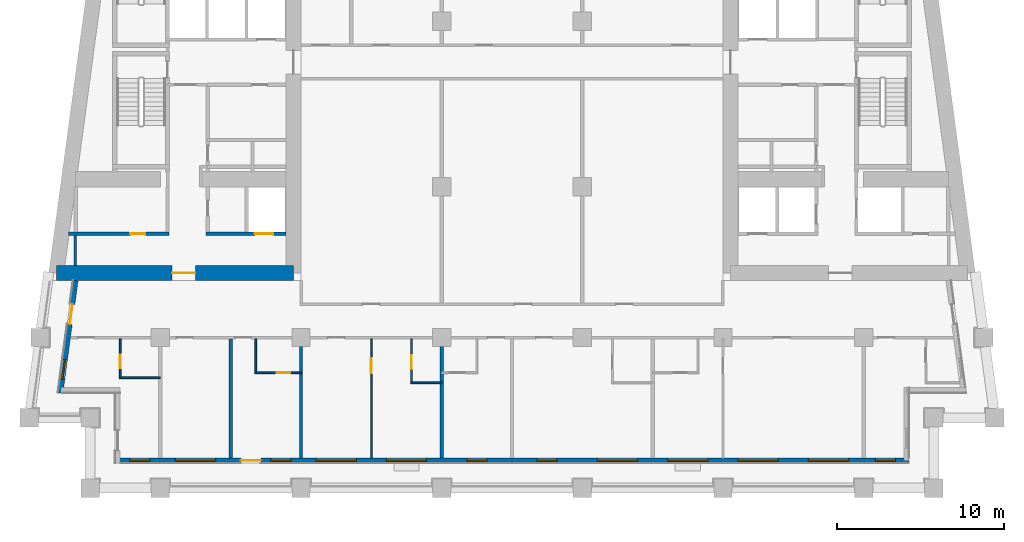
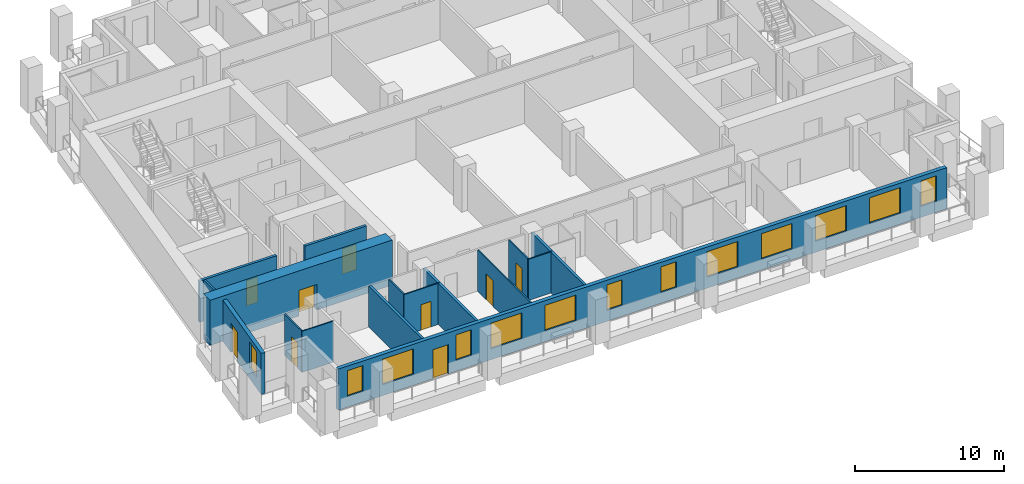
# One storey, part 2 of 12: 16 walls, 13 windows, 9 doors, 22 openings.
"""IFC4 building model written with IfcOpenShell, lengths in metres."""

from ifc_helpers import new_model, si_unit, direction, frame, frame_2d, origin, place, context, subcontext, project, spatial, rectangle, extrude, material, layer, layer_set, type_object, element, fill, save


model = new_model("IFC4")

# Units and contexts
model_context = context("Model", 3, precision=1e-05, world=origin(), true_north=direction((0.0, 1.0)))
body_context = subcontext(model_context, "Body", "Model", "MODEL_VIEW")
ifc_project = project(units=[si_unit("LENGTHUNIT", "METRE"), si_unit("AREAUNIT", "SQUARE_METRE"), si_unit("VOLUMEUNIT", "CUBIC_METRE"), si_unit("PLANEANGLEUNIT", "RADIAN"), si_unit("MASSUNIT", "GRAM", prefix="KILO")], contexts=[model_context])

# Site, building, storey
site_placement = place(None, origin())
site = spatial("IfcSite", under=ifc_project, at=site_placement, CompositionType="ELEMENT")
building_placement = place(site_placement, origin())
building = spatial("IfcBuilding", under=site, at=building_placement, Name="Candeia Pilgrim Tower and Theatre", CompositionType="ELEMENT")
storey_placement = place(building_placement, frame((0.0, 0.0, 166.300048828125)))
storey = spatial("IfcBuildingStorey", under=building, at=storey_placement, Name="L39", CompositionType="ELEMENT", Elevation=166.300048828125)

# Wall, opening, door
ifc_material_1 = material(Name="Concrete C60/75", Category="concrete")
ifc_layer_1 = layer(ifc_material_1, 0.89990234375)
ifc_layer_set_1 = layer_set([ifc_layer_1], Name="Core wall 900 C60/75")
wall_type_1 = type_object("IfcWallType", Name="Core wall 900 C60/75", PredefinedType="SHEAR", material=ifc_layer_set_1)
wall_1_placement = place(storey_placement, frame((100.35009765625, 110.85009765625, 0.0), z_axis=(0.0, 0.0, 1.0), x_axis=(-1.0, 0.0, 0.0)))
wall_1 = element("IfcWall", 1, at=wall_1_placement, inside=storey, type_object=wall_type_1, Name="Core wall W3", PredefinedType="SHEAR", context=body_context, shape_type="SweptSolid", body=[
    extrude(rectangle(XDim=14.166259765625, YDim=0.89990234375, at=frame_2d((7.0830078125, 0.0))), origin(), (0.0, 0.0, 1.0), 3.699951171875),
])
opening_1_placement = place(wall_1_placement, frame((5.854736328125, 0.0, 0.0)))
opening_1 = element("IfcOpeningElement", 2, at=opening_1_placement, cuts=wall_1, Name="Opening L39-D052", PredefinedType="OPENING", context=body_context, shape_type="SweptSolid", body=[
    extrude(rectangle(XDim=1.39990234375, YDim=2.10009765625, at=frame_2d((0.699951171875, 1.050048828125))), frame((0.0, 0.4599609375, 0.0), z_axis=(0.0, -1.0, 0.0), x_axis=(1.0, 0.0, 0.0)), (0.0, 0.0, 1.0), 0.919921875),
])
ifc_material_2 = material(Name="Steel fire door set", Category="steel")
door_type_1 = type_object("IfcDoorType", Name="D-1400-FD60", OperationType="NOTDEFINED", PredefinedType="DOOR", material=ifc_material_2)
door_1_placement = place(opening_1_placement, origin())
door_1 = element("IfcDoor", 3, at=door_1_placement, inside=storey, type_object=door_type_1, Name="Door L39-D052", OperationType="SINGLE_SWING_LEFT", OverallHeight=2.10009765625, OverallWidth=1.39990234375, PredefinedType="DOOR", context=body_context, shape_type="SweptSolid", body=[
    extrude(rectangle(XDim=1.39990234375, YDim=2.10009765625, at=frame_2d((0.699951171875, 1.050048828125))), frame((0.0, 0.02490234375, 0.0), z_axis=(0.0, -1.0, 0.0), x_axis=(1.0, 0.0, 0.0)), (0.0, 0.0, 1.0), 0.050048828125),
])
fill(opening_1, door_1)

# Wall, openings, door, windows
ifc_material_3 = material(Name="Ceramic block masonry", Category="masonry")
ifc_layer_2 = layer(ifc_material_3, 0.300048828125)
ifc_layer_set_2 = layer_set([ifc_layer_2], Name="EW1 glazing-line wall 300")
wall_type_2 = type_object("IfcWallType", Name="EW1 glazing-line wall 300", PredefinedType="SOLIDWALL", material=ifc_layer_set_2)
wall_2_placement = place(storey_placement, frame((89.85009765625, 99.64990234375, 0.0), z_axis=(0.0, 0.0, 1.0), x_axis=(1.0, 0.0, 0.0)))
wall_2 = element("IfcWall", 4, at=wall_2_placement, inside=storey, type_object=wall_type_2, Name="External wall L39-0.0", PredefinedType="SOLIDWALL", context=body_context, shape_type="SweptSolid", body=[
    extrude(rectangle(XDim=47.25, YDim=0.300048828125, at=frame_2d((23.625, 0.0))), origin(), (0.0, 0.0, 1.0), 3.3798828125),
])
opening_2_placement = place(wall_2_placement, frame((0.72509765625, 0.0, 0.89990234375)))
opening_2 = element("IfcOpeningElement", 5, at=opening_2_placement, cuts=wall_2, Name="Opening W-B", PredefinedType="OPENING", context=body_context, shape_type="SweptSolid", body=[
    extrude(rectangle(XDim=1.199951171875, YDim=2.10009765625, at=frame_2d((0.60009765625, 1.050048828125))), frame((0.0, 0.16015625, 0.0), z_axis=(0.0, -1.0, 0.0), x_axis=(1.0, 0.0, 0.0)), (0.0, 0.0, 1.0), 0.320068359375),
])
opening_3_placement = place(wall_2_placement, frame((3.449951171875, 0.0, 0.89990234375)))
opening_3 = element("IfcOpeningElement", 6, at=opening_3_placement, cuts=wall_2, Name="Opening W-A", PredefinedType="OPENING", context=body_context, shape_type="SweptSolid", body=[
    extrude(rectangle(XDim=2.39990234375, YDim=2.10009765625, at=frame_2d((1.199951171875, 1.050048828125))), frame((0.0, 0.16015625, 0.0), z_axis=(0.0, -1.0, 0.0), x_axis=(1.0, 0.0, 0.0)), (0.0, 0.0, 1.0), 0.320068359375),
])
opening_4_placement = place(wall_2_placement, frame((7.35009765625, 0.0, 0.0)))
opening_4 = element("IfcOpeningElement", 7, at=opening_4_placement, cuts=wall_2, Name="Opening L39-ED373", PredefinedType="OPENING", context=body_context, shape_type="SweptSolid", body=[
    extrude(rectangle(XDim=1.199951171875, YDim=2.39990234375, at=frame_2d((0.60009765625, 1.199951171875))), frame((0.0, 0.16015625, 0.0), z_axis=(0.0, -1.0, 0.0), x_axis=(1.0, 0.0, 0.0)), (0.0, 0.0, 1.0), 0.320068359375),
])
opening_5_placement = place(wall_2_placement, frame((9.14990234375, 0.0, 0.89990234375)))
opening_5 = element("IfcOpeningElement", 8, at=opening_5_placement, cuts=wall_2, Name="Opening W-B", PredefinedType="OPENING", context=body_context, shape_type="SweptSolid", body=[
    extrude(rectangle(XDim=1.199951171875, YDim=2.10009765625, at=frame_2d((0.60009765625, 1.050048828125))), frame((0.0, 0.16015625, 0.0), z_axis=(0.0, -1.0, 0.0), x_axis=(1.0, 0.0, 0.0)), (0.0, 0.0, 1.0), 0.320068359375),
])
opening_6_placement = place(wall_2_placement, frame((11.85009765625, 0.0, 0.89990234375)))
opening_6 = element("IfcOpeningElement", 9, at=opening_6_placement, cuts=wall_2, Name="Opening W-A", PredefinedType="OPENING", context=body_context, shape_type="SweptSolid", body=[
    extrude(rectangle(XDim=2.39990234375, YDim=2.10009765625, at=frame_2d((1.199951171875, 1.050048828125))), frame((0.0, 0.16015625, 0.0), z_axis=(0.0, -1.0, 0.0), x_axis=(1.0, 0.0, 0.0)), (0.0, 0.0, 1.0), 0.320068359375),
])
opening_7_placement = place(wall_2_placement, frame((16.050048828125, 0.0, 0.89990234375)))
opening_7 = element("IfcOpeningElement", 10, at=opening_7_placement, cuts=wall_2, Name="Opening W-A", PredefinedType="OPENING", context=body_context, shape_type="SweptSolid", body=[
    extrude(rectangle(XDim=2.39990234375, YDim=2.10009765625, at=frame_2d((1.199951171875, 1.050048828125))), frame((0.0, 0.16015625, 0.0), z_axis=(0.0, -1.0, 0.0), x_axis=(1.0, 0.0, 0.0)), (0.0, 0.0, 1.0), 0.320068359375),
])
opening_8_placement = place(wall_2_placement, frame((20.85009765625, 0.0, 0.89990234375)))
opening_8 = element("IfcOpeningElement", 11, at=opening_8_placement, cuts=wall_2, Name="Opening W-B", PredefinedType="OPENING", context=body_context, shape_type="SweptSolid", body=[
    extrude(rectangle(XDim=1.199951171875, YDim=2.10009765625, at=frame_2d((0.60009765625, 1.050048828125))), frame((0.0, 0.16015625, 0.0), z_axis=(0.0, -1.0, 0.0), x_axis=(1.0, 0.0, 0.0)), (0.0, 0.0, 1.0), 0.320068359375),
])
opening_9_placement = place(wall_2_placement, frame((25.050048828125, 0.0, 0.89990234375)))
opening_9 = element("IfcOpeningElement", 12, at=opening_9_placement, cuts=wall_2, Name="Opening W-B", PredefinedType="OPENING", context=body_context, shape_type="SweptSolid", body=[
    extrude(rectangle(XDim=1.199951171875, YDim=2.10009765625, at=frame_2d((0.60009765625, 1.050048828125))), frame((0.0, 0.16015625, 0.0), z_axis=(0.0, -1.0, 0.0), x_axis=(1.0, 0.0, 0.0)), (0.0, 0.0, 1.0), 0.320068359375),
])
opening_10_placement = place(wall_2_placement, frame((28.64990234375, 0.0, 0.89990234375)))
opening_10 = element("IfcOpeningElement", 13, at=opening_10_placement, cuts=wall_2, Name="Opening W-A", PredefinedType="OPENING", context=body_context, shape_type="SweptSolid", body=[
    extrude(rectangle(XDim=2.39990234375, YDim=2.10009765625, at=frame_2d((1.199951171875, 1.050048828125))), frame((0.0, 0.16015625, 0.0), z_axis=(0.0, -1.0, 0.0), x_axis=(1.0, 0.0, 0.0)), (0.0, 0.0, 1.0), 0.320068359375),
])
opening_11_placement = place(wall_2_placement, frame((32.85009765625, 0.0, 0.89990234375)))
opening_11 = element("IfcOpeningElement", 14, at=opening_11_placement, cuts=wall_2, Name="Opening W-A", PredefinedType="OPENING", context=body_context, shape_type="SweptSolid", body=[
    extrude(rectangle(XDim=2.39990234375, YDim=2.10009765625, at=frame_2d((1.199951171875, 1.050048828125))), frame((0.0, 0.16015625, 0.0), z_axis=(0.0, -1.0, 0.0), x_axis=(1.0, 0.0, 0.0)), (0.0, 0.0, 1.0), 0.320068359375),
])
opening_12_placement = place(wall_2_placement, frame((37.050048828125, 0.0, 0.89990234375)))
opening_12 = element("IfcOpeningElement", 15, at=opening_12_placement, cuts=wall_2, Name="Opening W-A", PredefinedType="OPENING", context=body_context, shape_type="SweptSolid", body=[
    extrude(rectangle(XDim=2.39990234375, YDim=2.10009765625, at=frame_2d((1.199951171875, 1.050048828125))), frame((0.0, 0.16015625, 0.0), z_axis=(0.0, -1.0, 0.0), x_axis=(1.0, 0.0, 0.0)), (0.0, 0.0, 1.0), 0.320068359375),
])
opening_13_placement = place(wall_2_placement, frame((41.25, 0.0, 0.89990234375)))
opening_13 = element("IfcOpeningElement", 16, at=opening_13_placement, cuts=wall_2, Name="Opening W-A", PredefinedType="OPENING", context=body_context, shape_type="SweptSolid", body=[
    extrude(rectangle(XDim=2.39990234375, YDim=2.10009765625, at=frame_2d((1.199951171875, 1.050048828125))), frame((0.0, 0.16015625, 0.0), z_axis=(0.0, -1.0, 0.0), x_axis=(1.0, 0.0, 0.0)), (0.0, 0.0, 1.0), 0.320068359375),
])
opening_14_placement = place(wall_2_placement, frame((45.25, 0.0, 0.89990234375)))
opening_14 = element("IfcOpeningElement", 17, at=opening_14_placement, cuts=wall_2, Name="Opening W-B", PredefinedType="OPENING", context=body_context, shape_type="SweptSolid", body=[
    extrude(rectangle(XDim=1.199951171875, YDim=2.10009765625, at=frame_2d((0.60009765625, 1.050048828125))), frame((0.0, 0.16015625, 0.0), z_axis=(0.0, -1.0, 0.0), x_axis=(1.0, 0.0, 0.0)), (0.0, 0.0, 1.0), 0.320068359375),
])
ifc_material_4 = material(Name="Aluminium framed glazed door", Category="aluminium")
door_type_2 = type_object("IfcDoorType", Name="Loggia door 1200x2400", OperationType="DOUBLE_DOOR_SINGLE_SWING", PredefinedType="DOOR", material=ifc_material_4)
door_2_placement = place(opening_4_placement, origin())
door_2 = element("IfcDoor", 18, at=door_2_placement, inside=storey, type_object=door_type_2, Name="Loggia door L39-ED373", OperationType="DOUBLE_DOOR_SINGLE_SWING", OverallHeight=2.39990234375, OverallWidth=1.199951171875, PredefinedType="DOOR", context=body_context, shape_type="SweptSolid", body=[
    extrude(rectangle(XDim=1.199951171875, YDim=2.39990234375, at=frame_2d((0.60009765625, 1.199951171875))), frame((0.0, 0.02490234375, 0.0), z_axis=(0.0, -1.0, 0.0), x_axis=(1.0, 0.0, 0.0)), (0.0, 0.0, 1.0), 0.050048828125),
])
fill(opening_4, door_2)
ifc_material_5 = material(Name="Aluminium framed double glazing", Category="aluminium")
window_type_1 = type_object("IfcWindowType", Name="W-A window 2400x2100", PartitioningType="DOUBLE_PANEL_VERTICAL", PredefinedType="WINDOW", material=ifc_material_5)
window_1_placement = place(opening_3_placement, origin())
window_1 = element("IfcWindow", 19, at=window_1_placement, inside=storey, type_object=window_type_1, Name="Window W-A L39", OverallHeight=2.10009765625, OverallWidth=2.39990234375, PartitioningType="SINGLE_PANEL", PredefinedType="WINDOW", context=body_context, shape_type="SweptSolid", body=[
    extrude(rectangle(XDim=2.39990234375, YDim=2.10009765625, at=frame_2d((1.199951171875, 1.050048828125))), frame((0.0, 0.030029296875, 0.0), z_axis=(0.0, -1.0, 0.0), x_axis=(1.0, 0.0, 0.0)), (0.0, 0.0, 1.0), 0.06005859375),
])
fill(opening_3, window_1)
window_2_placement = place(opening_6_placement, origin())
window_2 = element("IfcWindow", 20, at=window_2_placement, inside=storey, type_object=window_type_1, Name="Window W-A L39", OverallHeight=2.10009765625, OverallWidth=2.39990234375, PartitioningType="SINGLE_PANEL", PredefinedType="WINDOW", context=body_context, shape_type="SweptSolid", body=[
    extrude(rectangle(XDim=2.39990234375, YDim=2.10009765625, at=frame_2d((1.199951171875, 1.050048828125))), frame((0.0, 0.030029296875, 0.0), z_axis=(0.0, -1.0, 0.0), x_axis=(1.0, 0.0, 0.0)), (0.0, 0.0, 1.0), 0.06005859375),
])
fill(opening_6, window_2)
window_3_placement = place(opening_7_placement, origin())
window_3 = element("IfcWindow", 21, at=window_3_placement, inside=storey, type_object=window_type_1, Name="Window W-A L39", OverallHeight=2.10009765625, OverallWidth=2.39990234375, PartitioningType="SINGLE_PANEL", PredefinedType="WINDOW", context=body_context, shape_type="SweptSolid", body=[
    extrude(rectangle(XDim=2.39990234375, YDim=2.10009765625, at=frame_2d((1.199951171875, 1.050048828125))), frame((0.0, 0.030029296875, 0.0), z_axis=(0.0, -1.0, 0.0), x_axis=(1.0, 0.0, 0.0)), (0.0, 0.0, 1.0), 0.06005859375),
])
fill(opening_7, window_3)
window_4_placement = place(opening_10_placement, origin())
window_4 = element("IfcWindow", 22, at=window_4_placement, inside=storey, type_object=window_type_1, Name="Window W-A L39", OverallHeight=2.10009765625, OverallWidth=2.39990234375, PartitioningType="SINGLE_PANEL", PredefinedType="WINDOW", context=body_context, shape_type="SweptSolid", body=[
    extrude(rectangle(XDim=2.39990234375, YDim=2.10009765625, at=frame_2d((1.199951171875, 1.050048828125))), frame((0.0, 0.030029296875, 0.0), z_axis=(0.0, -1.0, 0.0), x_axis=(1.0, 0.0, 0.0)), (0.0, 0.0, 1.0), 0.06005859375),
])
fill(opening_10, window_4)
window_5_placement = place(opening_11_placement, origin())
window_5 = element("IfcWindow", 23, at=window_5_placement, inside=storey, type_object=window_type_1, Name="Window W-A L39", OverallHeight=2.10009765625, OverallWidth=2.39990234375, PartitioningType="SINGLE_PANEL", PredefinedType="WINDOW", context=body_context, shape_type="SweptSolid", body=[
    extrude(rectangle(XDim=2.39990234375, YDim=2.10009765625, at=frame_2d((1.199951171875, 1.050048828125))), frame((0.0, 0.030029296875, 0.0), z_axis=(0.0, -1.0, 0.0), x_axis=(1.0, 0.0, 0.0)), (0.0, 0.0, 1.0), 0.06005859375),
])
fill(opening_11, window_5)
window_6_placement = place(opening_12_placement, origin())
window_6 = element("IfcWindow", 24, at=window_6_placement, inside=storey, type_object=window_type_1, Name="Window W-A L39", OverallHeight=2.10009765625, OverallWidth=2.39990234375, PartitioningType="SINGLE_PANEL", PredefinedType="WINDOW", context=body_context, shape_type="SweptSolid", body=[
    extrude(rectangle(XDim=2.39990234375, YDim=2.10009765625, at=frame_2d((1.199951171875, 1.050048828125))), frame((0.0, 0.030029296875, 0.0), z_axis=(0.0, -1.0, 0.0), x_axis=(1.0, 0.0, 0.0)), (0.0, 0.0, 1.0), 0.06005859375),
])
fill(opening_12, window_6)
window_7_placement = place(opening_13_placement, origin())
window_7 = element("IfcWindow", 25, at=window_7_placement, inside=storey, type_object=window_type_1, Name="Window W-A L39", OverallHeight=2.10009765625, OverallWidth=2.39990234375, PartitioningType="SINGLE_PANEL", PredefinedType="WINDOW", context=body_context, shape_type="SweptSolid", body=[
    extrude(rectangle(XDim=2.39990234375, YDim=2.10009765625, at=frame_2d((1.199951171875, 1.050048828125))), frame((0.0, 0.030029296875, 0.0), z_axis=(0.0, -1.0, 0.0), x_axis=(1.0, 0.0, 0.0)), (0.0, 0.0, 1.0), 0.06005859375),
])
fill(opening_13, window_7)
window_type_2 = type_object("IfcWindowType", Name="W-B window 1200x2100", PartitioningType="SINGLE_PANEL", PredefinedType="WINDOW", material=ifc_material_5)
window_8_placement = place(opening_2_placement, origin())
window_8 = element("IfcWindow", 26, at=window_8_placement, inside=storey, type_object=window_type_2, Name="Window W-B L39", OverallHeight=2.10009765625, OverallWidth=1.199951171875, PartitioningType="SINGLE_PANEL", PredefinedType="WINDOW", context=body_context, shape_type="SweptSolid", body=[
    extrude(rectangle(XDim=1.199951171875, YDim=2.10009765625, at=frame_2d((0.60009765625, 1.050048828125))), frame((0.0, 0.030029296875, 0.0), z_axis=(0.0, -1.0, 0.0), x_axis=(1.0, 0.0, 0.0)), (0.0, 0.0, 1.0), 0.06005859375),
])
fill(opening_2, window_8)
window_9_placement = place(opening_5_placement, origin())
window_9 = element("IfcWindow", 27, at=window_9_placement, inside=storey, type_object=window_type_2, Name="Window W-B L39", OverallHeight=2.10009765625, OverallWidth=1.199951171875, PartitioningType="SINGLE_PANEL", PredefinedType="WINDOW", context=body_context, shape_type="SweptSolid", body=[
    extrude(rectangle(XDim=1.199951171875, YDim=2.10009765625, at=frame_2d((0.60009765625, 1.050048828125))), frame((0.0, 0.030029296875, 0.0), z_axis=(0.0, -1.0, 0.0), x_axis=(1.0, 0.0, 0.0)), (0.0, 0.0, 1.0), 0.06005859375),
])
fill(opening_5, window_9)
window_10_placement = place(opening_8_placement, origin())
window_10 = element("IfcWindow", 28, at=window_10_placement, inside=storey, type_object=window_type_2, Name="Window W-B L39", OverallHeight=2.10009765625, OverallWidth=1.199951171875, PartitioningType="SINGLE_PANEL", PredefinedType="WINDOW", context=body_context, shape_type="SweptSolid", body=[
    extrude(rectangle(XDim=1.199951171875, YDim=2.10009765625, at=frame_2d((0.60009765625, 1.050048828125))), frame((0.0, 0.030029296875, 0.0), z_axis=(0.0, -1.0, 0.0), x_axis=(1.0, 0.0, 0.0)), (0.0, 0.0, 1.0), 0.06005859375),
])
fill(opening_8, window_10)
window_11_placement = place(opening_9_placement, origin())
window_11 = element("IfcWindow", 29, at=window_11_placement, inside=storey, type_object=window_type_2, Name="Window W-B L39", OverallHeight=2.10009765625, OverallWidth=1.199951171875, PartitioningType="SINGLE_PANEL", PredefinedType="WINDOW", context=body_context, shape_type="SweptSolid", body=[
    extrude(rectangle(XDim=1.199951171875, YDim=2.10009765625, at=frame_2d((0.60009765625, 1.050048828125))), frame((0.0, 0.030029296875, 0.0), z_axis=(0.0, -1.0, 0.0), x_axis=(1.0, 0.0, 0.0)), (0.0, 0.0, 1.0), 0.06005859375),
])
fill(opening_9, window_11)
window_12_placement = place(opening_14_placement, origin())
window_12 = element("IfcWindow", 30, at=window_12_placement, inside=storey, type_object=window_type_2, Name="Window W-B L39", OverallHeight=2.10009765625, OverallWidth=1.199951171875, PartitioningType="SINGLE_PANEL", PredefinedType="WINDOW", context=body_context, shape_type="SweptSolid", body=[
    extrude(rectangle(XDim=1.199951171875, YDim=2.10009765625, at=frame_2d((0.60009765625, 1.050048828125))), frame((0.0, 0.030029296875, 0.0), z_axis=(0.0, -1.0, 0.0), x_axis=(1.0, 0.0, 0.0)), (0.0, 0.0, 1.0), 0.06005859375),
])
fill(opening_14, window_12)

# Wall, openings, door, window
wall_3_placement = place(storey_placement, frame((87.334228515625, 110.39990234375, 0.0), z_axis=(0.0, 0.0, 1.0), x_axis=(-0.133437175554, -0.991057273915, 0.0)))
wall_3 = element("IfcWall", 31, at=wall_3_placement, inside=storey, type_object=wall_type_2, Name="External wall L39-9.1", PredefinedType="SOLIDWALL", context=body_context, shape_type="SweptSolid", body=[
    extrude(rectangle(XDim=6.780517578125, YDim=0.300048828125, at=frame_2d((3.39013671875, 0.0))), origin(), (0.0, 0.0, 1.0), 3.3798828125),
])
opening_15_placement = place(wall_3_placement, frame((1.41796875, 0.0, 0.0)))
opening_15 = element("IfcOpeningElement", 32, at=opening_15_placement, cuts=wall_3, Name="Opening L39-ED380", PredefinedType="OPENING", context=body_context, shape_type="SweptSolid", body=[
    extrude(rectangle(XDim=1.199951171875, YDim=2.39990234375, at=frame_2d((0.60009765625, 1.199951171875))), frame((0.0, 0.16015625, 0.0), z_axis=(0.0, -1.0, 0.0), x_axis=(1.0, 0.0, 0.0)), (0.0, 0.0, 1.0), 0.320068359375),
])
opening_16_placement = place(wall_3_placement, frame((4.75830078125, 0.0, 0.89990234375)))
opening_16 = element("IfcOpeningElement", 33, at=opening_16_placement, cuts=wall_3, Name="Opening W-B", PredefinedType="OPENING", context=body_context, shape_type="SweptSolid", body=[
    extrude(rectangle(XDim=1.199951171875, YDim=2.10009765625, at=frame_2d((0.60009765625, 1.050048828125))), frame((0.0, 0.16015625, 0.0), z_axis=(0.0, -1.0, 0.0), x_axis=(1.0, 0.0, 0.0)), (0.0, 0.0, 1.0), 0.320068359375),
])
door_3_placement = place(opening_15_placement, origin())
door_3 = element("IfcDoor", 34, at=door_3_placement, inside=storey, type_object=door_type_2, Name="Loggia door L39-ED380", OperationType="DOUBLE_DOOR_SINGLE_SWING", OverallHeight=2.39990234375, OverallWidth=1.199951171875, PredefinedType="DOOR", context=body_context, shape_type="SweptSolid", body=[
    extrude(rectangle(XDim=1.199951171875, YDim=2.39990234375, at=frame_2d((0.60009765625, 1.199951171875))), frame((0.0, 0.02490234375, 0.0), z_axis=(0.0, -1.0, 0.0), x_axis=(1.0, 0.0, 0.0)), (0.0, 0.0, 1.0), 0.050048828125),
])
fill(opening_15, door_3)
window_13_placement = place(opening_16_placement, origin())
window_13 = element("IfcWindow", 35, at=window_13_placement, inside=storey, type_object=window_type_2, Name="Window W-B L39", OverallHeight=2.10009765625, OverallWidth=1.199951171875, PartitioningType="SINGLE_PANEL", PredefinedType="WINDOW", context=body_context, shape_type="SweptSolid", body=[
    extrude(rectangle(XDim=1.199951171875, YDim=2.10009765625, at=frame_2d((0.60009765625, 1.050048828125))), frame((0.0, 0.030029296875, 0.0), z_axis=(0.0, -1.0, 0.0), x_axis=(1.0, 0.0, 0.0)), (0.0, 0.0, 1.0), 0.06005859375),
])
fill(opening_16, window_13)

# Walls
ifc_material_6 = material(Name="Gypsum board partition on steel studs", Category="steel")
ifc_layer_3 = layer(ifc_material_6, 0.10009765625)
ifc_layer_set_3 = layer_set([ifc_layer_3], Name="PW-100 room partition")
wall_type_3 = type_object("IfcWallType", Name="PW-100 room partition", PredefinedType="PARTITIONING", material=ifc_layer_set_3)
wall_4_placement = place(storey_placement, frame((107.35009765625, 104.300048828125, 0.0), z_axis=(0.0, 0.0, 1.0), x_axis=(1.0, 0.0, 0.0)))
element("IfcWall", 36, at=wall_4_placement, inside=storey, type_object=wall_type_3, Name="Room partition L39-001", PredefinedType="PARTITIONING", context=body_context, shape_type="SweptSolid", body=[
    extrude(rectangle(XDim=1.849853515625, YDim=0.10009765625, at=frame_2d((0.9248046875, 0.0))), origin(), (0.0, 0.0, 1.0), 3.3798828125),
])
wall_5_placement = place(storey_placement, frame((89.949951171875, 104.60009765625, 0.0), z_axis=(0.0, 0.0, 1.0), x_axis=(1.0, 0.0, 0.0)))
element("IfcWall", 37, at=wall_5_placement, inside=storey, type_object=wall_type_3, Name="Room partition L39-004", PredefinedType="PARTITIONING", context=body_context, shape_type="SweptSolid", body=[
    extrude(rectangle(XDim=2.449951171875, YDim=0.10009765625, at=frame_2d((1.22509765625, 0.0))), origin(), (0.0, 0.0, 1.0), 3.3798828125),
])

# Wall, opening, door
wall_6_placement = place(storey_placement, frame((98.050048828125, 104.89990234375, 0.0), z_axis=(0.0, 0.0, 1.0), x_axis=(1.0, 0.0, 0.0)))
wall_6 = element("IfcWall", 38, at=wall_6_placement, inside=storey, type_object=wall_type_3, Name="Room partition L39-005", PredefinedType="PARTITIONING", context=body_context, shape_type="SweptSolid", body=[
    extrude(rectangle(XDim=2.75, YDim=0.10009765625, at=frame_2d((1.375, 0.0))), origin(), (0.0, 0.0, 1.0), 3.3798828125),
])
opening_17_placement = place(wall_6_placement, frame((1.300048828125, 0.0, 0.0)))
opening_17 = element("IfcOpeningElement", 39, at=opening_17_placement, cuts=wall_6, Name="Opening L39-D018", PredefinedType="OPENING", context=body_context, shape_type="SweptSolid", body=[
    extrude(rectangle(XDim=0.800048828125, YDim=2.10009765625, at=frame_2d((0.39990234375, 1.050048828125))), frame((0.0, 0.06005859375, 0.0), z_axis=(0.0, -1.0, 0.0), x_axis=(1.0, 0.0, 0.0)), (0.0, 0.0, 1.0), 0.1201171875),
])
ifc_material_7 = material(Name="Timber door leaf", Category="wood")
door_type_3 = type_object("IfcDoorType", Name="D-800", OperationType="NOTDEFINED", PredefinedType="DOOR", material=ifc_material_7)
door_4_placement = place(opening_17_placement, origin())
door_4 = element("IfcDoor", 40, at=door_4_placement, inside=storey, type_object=door_type_3, Name="Door L39-D018", OperationType="SINGLE_SWING_LEFT", OverallHeight=2.10009765625, OverallWidth=0.800048828125, PredefinedType="DOOR", context=body_context, shape_type="SweptSolid", body=[
    extrude(rectangle(XDim=0.800048828125, YDim=2.10009765625, at=frame_2d((0.39990234375, 1.050048828125))), frame((0.0, 0.02490234375, 0.0), z_axis=(0.0, -1.0, 0.0), x_axis=(1.0, 0.0, 0.0)), (0.0, 0.0, 1.0), 0.050048828125),
])
fill(opening_17, door_4)

wall_7_placement = place(storey_placement, frame((90.0, 104.64990234375, 0.0), z_axis=(0.0, 0.0, 1.0), x_axis=(0.0, 1.0, 0.0)))
wall_7 = element("IfcWall", 41, at=wall_7_placement, inside=storey, type_object=wall_type_3, Name="Room partition L39-052", PredefinedType="PARTITIONING", context=body_context, shape_type="SweptSolid", body=[
    extrude(rectangle(XDim=2.275146484375, YDim=0.10009765625, at=frame_2d((1.1376953125, 0.0))), origin(), (0.0, 0.0, 1.0), 3.3798828125),
])
opening_18_placement = place(wall_7_placement, frame((0.52490234375, 0.0, 0.0)))
opening_18 = element("IfcOpeningElement", 42, at=opening_18_placement, cuts=wall_7, Name="Opening L39-D015", PredefinedType="OPENING", context=body_context, shape_type="SweptSolid", body=[
    extrude(rectangle(XDim=0.800048828125, YDim=2.10009765625, at=frame_2d((0.39990234375, 1.050048828125))), frame((0.0, 0.06005859375, 0.0), z_axis=(0.0, -1.0, 0.0), x_axis=(1.0, 0.0, 0.0)), (0.0, 0.0, 1.0), 0.1201171875),
])
door_5_placement = place(opening_18_placement, origin())
door_5 = element("IfcDoor", 43, at=door_5_placement, inside=storey, type_object=door_type_3, Name="Door L39-D015", OperationType="SINGLE_SWING_RIGHT", OverallHeight=2.10009765625, OverallWidth=0.800048828125, PredefinedType="DOOR", context=body_context, shape_type="SweptSolid", body=[
    extrude(rectangle(XDim=0.800048828125, YDim=2.10009765625, at=frame_2d((0.39990234375, 1.050048828125))), frame((0.0, 0.02490234375, 0.0), z_axis=(0.0, -1.0, 0.0), x_axis=(1.0, 0.0, 0.0)), (0.0, 0.0, 1.0), 0.050048828125),
])
fill(opening_18, door_5)

# Wall
wall_8_placement = place(storey_placement, frame((98.10009765625, 104.949951171875, 0.0), z_axis=(0.0, 0.0, 1.0), x_axis=(0.0, 1.0, 0.0)))
element("IfcWall", 44, at=wall_8_placement, inside=storey, type_object=wall_type_3, Name="Room partition L39-069", PredefinedType="PARTITIONING", context=body_context, shape_type="SweptSolid", body=[
    extrude(rectangle(XDim=1.97509765625, YDim=0.10009765625, at=frame_2d((0.987548828125, 0.0))), origin(), (0.0, 0.0, 1.0), 3.3798828125),
])

# Wall, opening, door
wall_9_placement = place(storey_placement, frame((105.0, 99.7900390625, 0.0), z_axis=(0.0, 0.0, 1.0), x_axis=(0.0, 1.0, 0.0)))
wall_9 = element("IfcWall", 45, at=wall_9_placement, inside=storey, type_object=wall_type_3, Name="Room partition L39-075", PredefinedType="PARTITIONING", context=body_context, shape_type="SweptSolid", body=[
    extrude(rectangle(XDim=7.135009765625, YDim=0.10009765625, at=frame_2d((3.5673828125, 0.0))), origin(), (0.0, 0.0, 1.0), 3.3798828125),
])
opening_19_placement = place(wall_9_placement, frame((5.074951171875, 0.0, 0.0)))
opening_19 = element("IfcOpeningElement", 46, at=opening_19_placement, cuts=wall_9, Name="Opening L39-D020", PredefinedType="OPENING", context=body_context, shape_type="SweptSolid", body=[
    extrude(rectangle(XDim=0.89990234375, YDim=2.10009765625, at=frame_2d((0.449951171875, 1.050048828125))), frame((0.0, 0.06005859375, 0.0), z_axis=(0.0, -1.0, 0.0), x_axis=(1.0, 0.0, 0.0)), (0.0, 0.0, 1.0), 0.1201171875),
])
door_type_4 = type_object("IfcDoorType", Name="D-900", OperationType="NOTDEFINED", PredefinedType="DOOR", material=ifc_material_7)
door_6_placement = place(opening_19_placement, origin())
door_6 = element("IfcDoor", 47, at=door_6_placement, inside=storey, type_object=door_type_4, Name="Door L39-D020", OperationType="SINGLE_SWING_LEFT", OverallHeight=2.10009765625, OverallWidth=0.89990234375, PredefinedType="DOOR", context=body_context, shape_type="SweptSolid", body=[
    extrude(rectangle(XDim=0.89990234375, YDim=2.10009765625, at=frame_2d((0.449951171875, 1.050048828125))), frame((0.0, 0.02490234375, 0.0), z_axis=(0.0, -1.0, 0.0), x_axis=(1.0, 0.0, 0.0)), (0.0, 0.0, 1.0), 0.050048828125),
])
fill(opening_19, door_6)

wall_10_placement = place(storey_placement, frame((107.39990234375, 104.35009765625, 0.0), z_axis=(0.0, 0.0, 1.0), x_axis=(0.0, 1.0, 0.0)))
wall_10 = element("IfcWall", 48, at=wall_10_placement, inside=storey, type_object=wall_type_3, Name="Room partition L39-078", PredefinedType="PARTITIONING", context=body_context, shape_type="SweptSolid", body=[
    extrude(rectangle(XDim=2.574951171875, YDim=0.10009765625, at=frame_2d((1.28759765625, 0.0))), origin(), (0.0, 0.0, 1.0), 3.3798828125),
])
opening_20_placement = place(wall_10_placement, frame((0.780029296875, 0.0, 0.0)))
opening_20 = element("IfcOpeningElement", 49, at=opening_20_placement, cuts=wall_10, Name="Opening L39-D021", PredefinedType="OPENING", context=body_context, shape_type="SweptSolid", body=[
    extrude(rectangle(XDim=0.800048828125, YDim=2.10009765625, at=frame_2d((0.39990234375, 1.050048828125))), frame((0.0, 0.06005859375, 0.0), z_axis=(0.0, -1.0, 0.0), x_axis=(1.0, 0.0, 0.0)), (0.0, 0.0, 1.0), 0.1201171875),
])
door_7_placement = place(opening_20_placement, origin())
door_7 = element("IfcDoor", 50, at=door_7_placement, inside=storey, type_object=door_type_3, Name="Door L39-D021", OperationType="SINGLE_SWING_RIGHT", OverallHeight=2.10009765625, OverallWidth=0.800048828125, PredefinedType="DOOR", context=body_context, shape_type="SweptSolid", body=[
    extrude(rectangle(XDim=0.800048828125, YDim=2.10009765625, at=frame_2d((0.39990234375, 1.050048828125))), frame((0.0, 0.02490234375, 0.0), z_axis=(0.0, -1.0, 0.0), x_axis=(1.0, 0.0, 0.0)), (0.0, 0.0, 1.0), 0.050048828125),
])
fill(opening_20, door_7)

# Walls
ifc_layer_4 = layer(ifc_material_6, 0.14990234375)
ifc_layer_set_4 = layer_set([ifc_layer_4], Name="PW-150 lobby wall")
wall_type_4 = type_object("IfcWallType", Name="PW-150 lobby wall", PredefinedType="PARTITIONING", material=ifc_layer_set_4)
wall_11_placement = place(storey_placement, frame((87.327880859375, 111.300048828125, 0.0), z_axis=(0.0, 0.0, 1.0), x_axis=(0.0, 1.0, 0.0)))
element("IfcWall", 51, at=wall_11_placement, inside=storey, type_object=wall_type_4, Name="Lobby wall L39-049", PredefinedType="PARTITIONING", context=body_context, shape_type="SweptSolid", body=[
    extrude(rectangle(XDim=1.800048828125, YDim=0.14990234375, at=frame_2d((0.89990234375, 0.0))), origin(), (0.0, 0.0, 1.0), 3.3798828125),
])
ifc_layer_5 = layer(ifc_material_6, 0.199951171875)
ifc_layer_set_5 = layer_set([ifc_layer_5], Name="PW-200 party wall")
wall_type_5 = type_object("IfcWallType", Name="PW-200 party wall", PredefinedType="PARTITIONING", material=ifc_layer_set_5)
for number, where, z_axis, x_axis, name in (
    (52, (96.60009765625, 99.7900390625, 0.0), (0.0, 0.0, 1.0), (0.0, 1.0, 0.0), "Party wall L39-064"),
    (53, (100.800048828125, 99.7900390625, 0.0), (0.0, 0.0, 1.0), (0.0, 1.0, 0.0), "Party wall L39-070"),
    (54, (109.199951171875, 99.7900390625, 0.0), (0.0, 0.0, 1.0), (0.0, 1.0, 0.0), "Party wall L39-079"),
):
    element("IfcWall", number, at=place(storey_placement, frame(where, z_axis=z_axis, x_axis=x_axis)), inside=storey, type_object=wall_type_5, Name=name, PredefinedType="PARTITIONING", context=body_context, shape_type="SweptSolid", body=[
        extrude(rectangle(XDim=7.135009765625, YDim=0.199951171875, at=frame_2d((3.5673828125, 0.0))), origin(), (0.0, 0.0, 1.0), 3.3798828125),
    ])

# Wall, opening, door
ifc_material_8 = material(Name="Concrete C40/50", Category="concrete")
ifc_layer_6 = layer(ifc_material_8, 0.199951171875)
ifc_layer_set_6 = layer_set([ifc_layer_6], Name="SW-200 shaft wall")
wall_type_6 = type_object("IfcWallType", Name="SW-200 shaft wall", PredefinedType="PARTITIONING", material=ifc_layer_set_6)
wall_12_placement = place(storey_placement, frame((86.92431640625, 113.199951171875, 0.0), z_axis=(0.0, 0.0, 1.0), x_axis=(1.0, 0.0, 0.0)))
wall_12 = element("IfcWall", 55, at=wall_12_placement, inside=storey, type_object=wall_type_6, Name="Shaft wall L39-010", PredefinedType="PARTITIONING", context=body_context, shape_type="SweptSolid", body=[
    extrude(rectangle(XDim=6.002685546875, YDim=0.199951171875, at=frame_2d((3.00146484375, 0.0))), origin(), (0.0, 0.0, 1.0), 3.3798828125),
])
opening_21_placement = place(wall_12_placement, frame((3.677734375, 0.0, 0.0)))
opening_21 = element("IfcOpeningElement", 56, at=opening_21_placement, cuts=wall_12, Name="Opening L39-D006", PredefinedType="OPENING", context=body_context, shape_type="SweptSolid", body=[
    extrude(rectangle(XDim=0.89990234375, YDim=2.10009765625, at=frame_2d((0.449951171875, 1.050048828125))), frame((0.0, 0.10986328125, 0.0), z_axis=(0.0, -1.0, 0.0), x_axis=(1.0, 0.0, 0.0)), (0.0, 0.0, 1.0), 0.219970703125),
])
door_type_5 = type_object("IfcDoorType", Name="D-900-FD60", OperationType="NOTDEFINED", PredefinedType="DOOR", material=ifc_material_2)
door_8_placement = place(opening_21_placement, origin())
door_8 = element("IfcDoor", 57, at=door_8_placement, inside=storey, type_object=door_type_5, Name="Door L39-D006", OperationType="SINGLE_SWING_RIGHT", OverallHeight=2.10009765625, OverallWidth=0.89990234375, PredefinedType="DOOR", context=body_context, shape_type="SweptSolid", body=[
    extrude(rectangle(XDim=0.89990234375, YDim=2.10009765625, at=frame_2d((0.449951171875, 1.050048828125))), frame((0.0, 0.02490234375, 0.0), z_axis=(0.0, -1.0, 0.0), x_axis=(1.0, 0.0, 0.0)), (0.0, 0.0, 1.0), 0.050048828125),
])
fill(opening_21, door_8)

wall_13_placement = place(storey_placement, frame((95.126953125, 113.199951171875, 0.0), z_axis=(0.0, 0.0, 1.0), x_axis=(1.0, 0.0, 0.0)))
wall_13 = element("IfcWall", 58, at=wall_13_placement, inside=storey, type_object=wall_type_6, Name="Shaft wall L39-011", PredefinedType="PARTITIONING", context=body_context, shape_type="SweptSolid", body=[
    extrude(rectangle(XDim=4.77294921875, YDim=0.199951171875, at=frame_2d((2.386474609375, 0.0))), origin(), (0.0, 0.0, 1.0), 3.3798828125),
])
opening_22_placement = place(wall_13_placement, frame((2.9208984375, 0.0, 0.0)))
opening_22 = element("IfcOpeningElement", 59, at=opening_22_placement, cuts=wall_13, Name="Opening L39-LD03", PredefinedType="OPENING", context=body_context, shape_type="SweptSolid", body=[
    extrude(rectangle(XDim=1.10009765625, YDim=2.10009765625, at=frame_2d((0.550048828125, 1.050048828125))), frame((0.0, 0.10986328125, 0.0), z_axis=(0.0, -1.0, 0.0), x_axis=(1.0, 0.0, 0.0)), (0.0, 0.0, 1.0), 0.219970703125),
])
ifc_material_9 = material(Name="Glazed aluminium landing door", Category="aluminium")
door_type_6 = type_object("IfcDoorType", Name="LD-1100-EI120", OperationType="SLIDING_TO_LEFT", PredefinedType="DOOR", material=ifc_material_9)
door_9_placement = place(opening_22_placement, origin())
door_9 = element("IfcDoor", 60, at=door_9_placement, inside=storey, type_object=door_type_6, Name="Landing door 03 L39", OperationType="SLIDING_TO_LEFT", OverallHeight=2.10009765625, OverallWidth=1.10009765625, PredefinedType="DOOR", context=body_context, shape_type="SweptSolid", body=[
    extrude(rectangle(XDim=1.10009765625, YDim=2.10009765625, at=frame_2d((0.550048828125, 1.050048828125))), frame((0.0, 0.02490234375, 0.0), z_axis=(0.0, -1.0, 0.0), x_axis=(1.0, 0.0, 0.0)), (0.0, 0.0, 1.0), 0.050048828125),
])
fill(opening_22, door_9)

save(model, "model.ifc")
